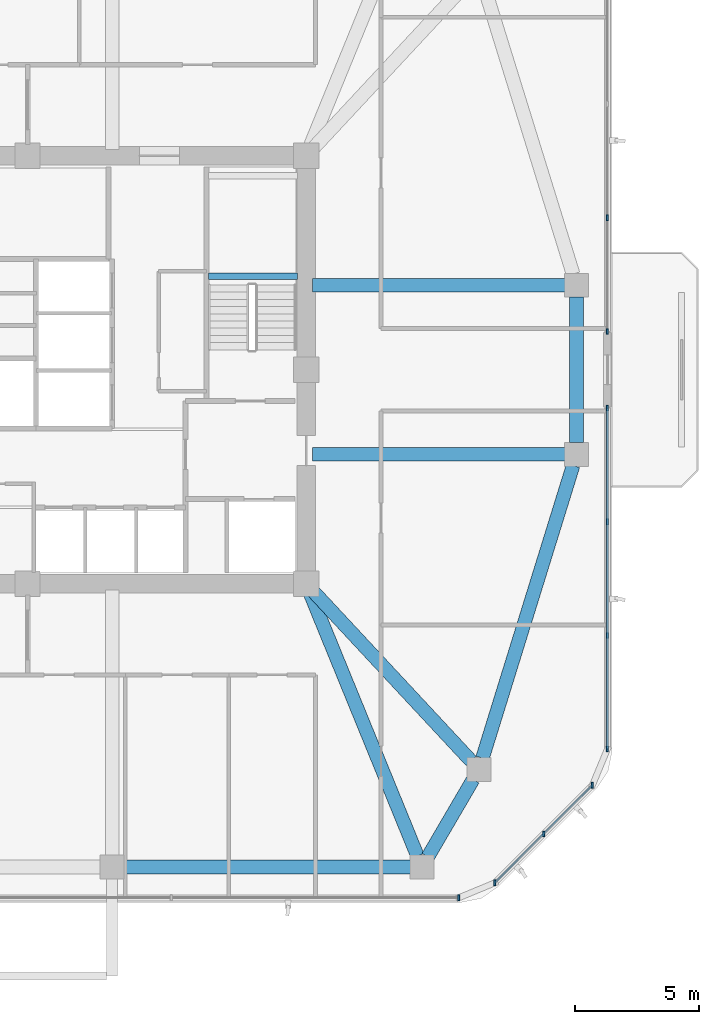
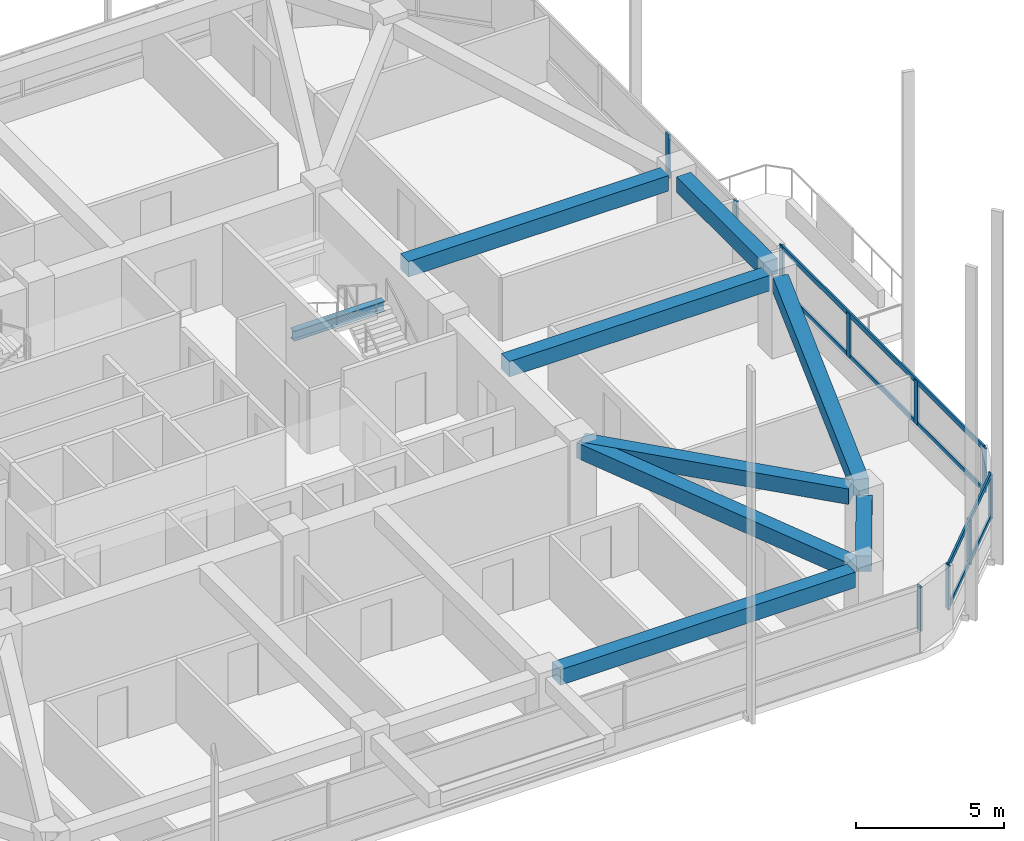
# One storey, part 4 of 14: 14 members, 9 beams, 4 elements without a shape of their own.
"""IFC4 building model written with IfcOpenShell, lengths in metres."""

from ifc_helpers import new_model, si_unit, derived_unit, direction, frame, origin, origin_2d, place, context, subcontext, project, spatial, rectangle, i_section, extrude, material, material_profile, profile_set, type_object, element, aggregate, save


model = new_model("IFC4")

# Units and contexts
model_context = context("Model", 3, precision=1e-05, world=origin(), true_north=direction((0.0, 1.0)))
body_context = subcontext(model_context, "Body", "Model", "MODEL_VIEW")
ifc_project = project(units=[si_unit("LENGTHUNIT", "METRE"), si_unit("AREAUNIT", "SQUARE_METRE"), si_unit("VOLUMEUNIT", "CUBIC_METRE"), si_unit("PLANEANGLEUNIT", "RADIAN"), si_unit("MASSUNIT", "GRAM", prefix="KILO"), derived_unit("THERMALTRANSMITTANCEUNIT", [(si_unit("POWERUNIT", "WATT"), 1), (si_unit("LENGTHUNIT", "METRE"), -2), (si_unit("THERMODYNAMICTEMPERATUREUNIT", "KELVIN"), -1)])], contexts=[model_context])

# Site, building, storey
site_placement = place(None, origin())
site = spatial("IfcSite", under=ifc_project, at=site_placement, CompositionType="ELEMENT")
building_placement = place(site_placement, origin())
building = spatial("IfcBuilding", under=site, at=building_placement, Name="Koralith Skygarden Medical Center", CompositionType="ELEMENT")
storey_placement = place(building_placement, frame((0.0, 0.0, 145.6201171875)))
storey = spatial("IfcBuildingStorey", under=building, at=storey_placement, Name="L37", CompositionType="ELEMENT", Elevation=145.6201171875)

# Curtain wall, member
ifc_material_1 = material(Name="Clear Laminated Glass", Category="glass")
curtain_wall_type = type_object("IfcCurtainWallType", Name="CW-4 Zone 3 Waist High-Wind Curtain Wall", PredefinedType="NOTDEFINED", material=ifc_material_1)
curtain_wall_1_placement = place(storey_placement, origin())
curtain_wall_1 = element("IfcCurtainWall", 1, at=curtain_wall_1_placement, inside=storey, type_object=curtain_wall_type, Name="Curtain Wall CW-L37-S", PredefinedType="NOTDEFINED")
ifc_material_2 = material(Name="Aluminium 6063-T6", Category="aluminium")
ifc_material_profile_1 = material_profile(ifc_material_2, rectangle(XDim=0.076904296875, YDim=0.22998046875, at=origin_2d()), Name="MUL77X230")
ifc_profile_set_1 = profile_set([ifc_material_profile_1], Name="Aluminium 6063-T6")
member_type_1 = type_object("IfcMemberType", Name="CW-4 Extruded Mullion 77x230", PredefinedType="MULLION", material=ifc_profile_set_1)
member_1_placement = place(storey_placement, frame((54.3291015625, 4.679931640625, 0.849853515625), z_axis=(0.0, 0.0, 1.0), x_axis=(1.0, 0.0, 0.0)))
member_1 = element("IfcMember", 2, at=member_1_placement, type_object=member_type_1, Name="CW-L37-S Mullion 4", PredefinedType="MULLION", context=body_context, shape_type="SweptSolid", body=[
    extrude(rectangle(XDim=0.076904296875, YDim=0.22998046875, at=origin_2d()), origin(), (0.0, 0.0, 1.0), 1.820068359375),
])
aggregate(curtain_wall_1, [member_1])

# Curtain wall, members
curtain_wall_2_placement = place(storey_placement, origin())
curtain_wall_2 = element("IfcCurtainWall", 3, at=curtain_wall_2_placement, inside=storey, type_object=curtain_wall_type, Name="Curtain Wall CW-L37-SE", PredefinedType="NOTDEFINED")
member_2_placement = place(storey_placement, frame((55.780029296875, 5.281005859375, 0.849853515625), z_axis=(0.0, 0.0, 1.0), x_axis=(1.0, 0.0, 0.0)))
member_2 = element("IfcMember", 4, at=member_2_placement, type_object=member_type_1, Name="CW-L37-SE Mullion 1", PredefinedType="MULLION", context=body_context, shape_type="SweptSolid", body=[
    extrude(rectangle(XDim=0.076904296875, YDim=0.22998046875, at=origin_2d()), origin(), (0.0, 0.0, 1.0), 1.820068359375),
])
member_3_placement = place(storey_placement, frame((57.741943359375, 7.241943359375, 0.849853515625), z_axis=(0.0, 0.0, 1.0), x_axis=(1.0, 0.0, 0.0)))
member_3 = element("IfcMember", 5, at=member_3_placement, type_object=member_type_1, Name="CW-L37-SE Mullion 2", PredefinedType="MULLION", context=body_context, shape_type="SweptSolid", body=[
    extrude(rectangle(XDim=0.076904296875, YDim=0.22998046875, at=origin_2d()), origin(), (0.0, 0.0, 1.0), 1.820068359375),
])
member_4_placement = place(storey_placement, frame((59.702880859375, 9.2041015625, 0.849853515625), z_axis=(0.0, 0.0, 1.0), x_axis=(1.0, 0.0, 0.0)))
member_4 = element("IfcMember", 6, at=member_4_placement, type_object=member_type_1, Name="CW-L37-SE Mullion 3", PredefinedType="MULLION", context=body_context, shape_type="SweptSolid", body=[
    extrude(rectangle(XDim=0.076904296875, YDim=0.22998046875, at=origin_2d()), origin(), (0.0, 0.0, 1.0), 1.820068359375),
])

curtain_wall_3_placement = place(storey_placement, origin())
curtain_wall_3 = element("IfcCurtainWall", 7, at=curtain_wall_3_placement, inside=storey, type_object=curtain_wall_type, Name="Curtain Wall CW-L37-E-L", PredefinedType="NOTDEFINED")
member_5_placement = place(storey_placement, frame((60.303955078125, 10.655029296875, 0.849853515625), z_axis=(0.0, 0.0, 1.0), x_axis=(1.0, 0.0, 0.0)))
member_5 = element("IfcMember", 8, at=member_5_placement, type_object=member_type_1, Name="CW-L37-E-L Mullion 1", PredefinedType="MULLION", context=body_context, shape_type="SweptSolid", body=[
    extrude(rectangle(XDim=0.076904296875, YDim=0.22998046875, at=origin_2d()), origin(), (0.0, 0.0, 1.0), 1.820068359375),
])
member_6_placement = place(storey_placement, frame((60.303955078125, 15.222900390625, 0.849853515625), z_axis=(0.0, 0.0, 1.0), x_axis=(1.0, 0.0, 0.0)))
member_6 = element("IfcMember", 9, at=member_6_placement, type_object=member_type_1, Name="CW-L37-E-L Mullion 2", PredefinedType="MULLION", context=body_context, shape_type="SweptSolid", body=[
    extrude(rectangle(XDim=0.076904296875, YDim=0.22998046875, at=origin_2d()), origin(), (0.0, 0.0, 1.0), 1.820068359375),
])
member_7_placement = place(storey_placement, frame((60.303955078125, 19.7919921875, 0.849853515625), z_axis=(0.0, 0.0, 1.0), x_axis=(1.0, 0.0, 0.0)))
member_7 = element("IfcMember", 10, at=member_7_placement, type_object=member_type_1, Name="CW-L37-E-L Mullion 3", PredefinedType="MULLION", context=body_context, shape_type="SweptSolid", body=[
    extrude(rectangle(XDim=0.076904296875, YDim=0.22998046875, at=origin_2d()), origin(), (0.0, 0.0, 1.0), 1.820068359375),
])
member_8_placement = place(storey_placement, frame((60.303955078125, 24.360107421875, 0.849853515625), z_axis=(0.0, 0.0, 1.0), x_axis=(1.0, 0.0, 0.0)))
member_8 = element("IfcMember", 11, at=member_8_placement, type_object=member_type_1, Name="CW-L37-E-L Mullion 4", PredefinedType="MULLION", context=body_context, shape_type="SweptSolid", body=[
    extrude(rectangle(XDim=0.076904296875, YDim=0.22998046875, at=origin_2d()), origin(), (0.0, 0.0, 1.0), 1.820068359375),
])

curtain_wall_4_placement = place(storey_placement, origin())
curtain_wall_4 = element("IfcCurtainWall", 12, at=curtain_wall_4_placement, inside=storey, type_object=curtain_wall_type, Name="Curtain Wall CW-L37-E-R", PredefinedType="NOTDEFINED")
member_9_placement = place(storey_placement, frame((60.303955078125, 27.43994140625, 0.849853515625), z_axis=(0.0, 0.0, 1.0), x_axis=(1.0, 0.0, 0.0)))
member_9 = element("IfcMember", 13, at=member_9_placement, type_object=member_type_1, Name="CW-L37-E-R Mullion 1", PredefinedType="MULLION", context=body_context, shape_type="SweptSolid", body=[
    extrude(rectangle(XDim=0.076904296875, YDim=0.22998046875, at=origin_2d()), origin(), (0.0, 0.0, 1.0), 1.820068359375),
])
member_10_placement = place(storey_placement, frame((60.303955078125, 32.008056640625, 0.849853515625), z_axis=(0.0, 0.0, 1.0), x_axis=(1.0, 0.0, 0.0)))
member_10 = element("IfcMember", 14, at=member_10_placement, type_object=member_type_1, Name="CW-L37-E-R Mullion 2", PredefinedType="MULLION", context=body_context, shape_type="SweptSolid", body=[
    extrude(rectangle(XDim=0.076904296875, YDim=0.22998046875, at=origin_2d()), origin(), (0.0, 0.0, 1.0), 1.820068359375),
])
aggregate(curtain_wall_4, [member_9, member_10])

# Member
ifc_material_profile_2 = material_profile(ifc_material_2, rectangle(XDim=0.072021484375, YDim=0.20703125, at=origin_2d()), Name="TRN72X207")
ifc_profile_set_2 = profile_set([ifc_material_profile_2], Name="Aluminium 6063-T6")
member_type_2 = type_object("IfcMemberType", Name="CW-4 Thermal Transom 72x207", PredefinedType="USERDEFINED", material=ifc_profile_set_2)
member_11_placement = place(storey_placement, frame((55.780029296875, 5.281005859375, 0.89990234375), z_axis=(0.707084777957, 0.707128783731, 0.0), x_axis=(-0.707128783731, 0.707084777957, 0.0)))
member_11 = element("IfcMember", 15, at=member_11_placement, type_object=member_type_2, Name="CW-L37-SE Transom 1", ObjectType="TRANSOM", PredefinedType="USERDEFINED", context=body_context, shape_type="SweptSolid", body=[
    extrude(rectangle(XDim=0.072021484375, YDim=0.20703125, at=origin_2d()), origin(), (0.0, 0.0, 1.0), 5.5478515625),
])

member_12_placement = place(storey_placement, frame((55.780029296875, 5.281005859375, 2.619873046875), z_axis=(0.707084777957, 0.707128783731, 0.0), x_axis=(-0.707128783731, 0.707084777957, 0.0)))
member_12 = element("IfcMember", 16, at=member_12_placement, type_object=member_type_2, Name="CW-L37-SE Transom 2", ObjectType="TRANSOM", PredefinedType="USERDEFINED", context=body_context, shape_type="SweptSolid", body=[
    extrude(rectangle(XDim=0.072021484375, YDim=0.20703125, at=origin_2d()), origin(), (0.0, 0.0, 1.0), 5.5478515625),
])

aggregate(curtain_wall_2, [member_2, member_3, member_4, member_11, member_12])

member_13_placement = place(storey_placement, frame((60.303955078125, 10.655029296875, 0.89990234375), z_axis=(0.0, 1.0, 0.0), x_axis=(-1.0, 0.0, 0.0)))
member_13 = element("IfcMember", 17, at=member_13_placement, type_object=member_type_2, Name="CW-L37-E-L Transom 1", ObjectType="TRANSOM", PredefinedType="USERDEFINED", context=body_context, shape_type="SweptSolid", body=[
    extrude(rectangle(XDim=0.072021484375, YDim=0.20703125, at=origin_2d()), origin(), (0.0, 0.0, 1.0), 13.705078125),
])

member_14_placement = place(storey_placement, frame((60.303955078125, 10.655029296875, 2.619873046875), z_axis=(0.0, 1.0, 0.0), x_axis=(-1.0, 0.0, 0.0)))
member_14 = element("IfcMember", 18, at=member_14_placement, type_object=member_type_2, Name="CW-L37-E-L Transom 2", ObjectType="TRANSOM", PredefinedType="USERDEFINED", context=body_context, shape_type="SweptSolid", body=[
    extrude(rectangle(XDim=0.072021484375, YDim=0.20703125, at=origin_2d()), origin(), (0.0, 0.0, 1.0), 13.705078125),
])

aggregate(curtain_wall_3, [member_5, member_6, member_7, member_8, member_13, member_14])

# Beams
ifc_material_3 = material(Name="Steel ASTM A992 Grade 50", Category="steel")
ifc_material_profile_3 = material_profile(ifc_material_3, i_section(OverallWidth=0.260009765625, OverallDepth=0.4150390625, WebThickness=0.010009765625, FlangeThickness=0.016845703125, at=origin_2d()), Name="W16X67")
ifc_profile_set_3 = profile_set([ifc_material_profile_3], Name="Steel ASTM A992 Grade 50")
beam_type_1 = type_object("IfcBeamType", Name="Clinical Floor Joist W16X67", PredefinedType="JOIST", material=ifc_profile_set_3)
beam_1_placement = place(storey_placement, frame((44.280029296875, 29.659912109375, 1.391845703125), z_axis=(1.0, 0.0, 0.0), x_axis=(0.0, 1.0, 0.0)))
element("IfcBeam", 19, at=beam_1_placement, inside=storey, type_object=beam_type_1, Name="L37 Stair ST2 Half-Landing Support Beam 1A", PredefinedType="JOIST", context=body_context, shape_type="SweptSolid", body=[
    extrude(i_section(OverallWidth=0.260009765625, OverallDepth=0.4150390625, WebThickness=0.010009765625, FlangeThickness=0.016845703125, at=origin_2d()), origin(), (0.0, 0.0, 1.0), 3.56494140625),
])
ifc_material_4 = material(Name="Concrete C45/55", Category="concrete")
ifc_material_profile_4 = material_profile(ifc_material_4, rectangle(XDim=0.550048828125, YDim=0.639892578125, at=origin_2d()), Name="RCB550X640")
ifc_profile_set_4 = profile_set([ifc_material_profile_4], Name="Concrete C45/55")
beam_type_2 = type_object("IfcBeamType", Name="Radial Collector Beam RCB550X640", PredefinedType="BEAM", material=ifc_profile_set_4)
beam_2_placement = place(storey_placement, frame((48.294921875, 17.069091796875, 3.0), z_axis=(0.378344544364, -0.92566484526, 0.0), x_axis=(0.92566484526, 0.378344544364, 0.0)))
element("IfcBeam", 20, at=beam_2_placement, inside=storey, type_object=beam_type_2, Name="L37 Radial Collector Beam RB-06", PredefinedType="BEAM", context=body_context, shape_type="SweptSolid", body=[
    extrude(rectangle(XDim=0.550048828125, YDim=0.639892578125, at=origin_2d()), origin(), (0.0, 0.0, 1.0), 11.574462890625),
])
beam_3_placement = place(storey_placement, frame((48.3701171875, 17.116943359375, 3.0), z_axis=(0.681369011591, -0.731940072713, 0.0), x_axis=(0.731940072713, 0.681369011591, 0.0)))
element("IfcBeam", 21, at=beam_3_placement, inside=storey, type_object=beam_type_2, Name="L37 Radial Collector Beam RB-07", PredefinedType="BEAM", context=body_context, shape_type="SweptSolid", body=[
    extrude(rectangle(XDim=0.550048828125, YDim=0.639892578125, at=origin_2d()), origin(), (0.0, 0.0, 1.0), 9.471923828125),
])
for number, where, z_axis, x_axis, name in (
    (22, (48.449951171875, 22.5, 3.0), (1.0, 0.0, 0.0), (0.0, 1.0, 0.0), "L37 Radial Collector Beam RB-08"),
    (23, (48.449951171875, 29.300048828125, 3.0), (1.0, 0.0, 0.0), (0.0, 1.0, 0.0), "L37 Radial Collector Beam RB-09"),
):
    element("IfcBeam", number, at=place(storey_placement, frame(where, z_axis=z_axis, x_axis=x_axis)), inside=storey, type_object=beam_type_2, Name=name, PredefinedType="BEAM", context=body_context, shape_type="SweptSolid", body=[
        extrude(rectangle(XDim=0.550048828125, YDim=0.639892578125, at=origin_2d()), origin(), (0.0, 0.0, 1.0), 10.14404296875),
    ])
ifc_material_profile_5 = material_profile(ifc_material_4, rectangle(XDim=0.550048828125, YDim=0.639892578125, at=origin_2d()), Name="RCB550X640")
ifc_profile_set_5 = profile_set([ifc_material_profile_5], Name="Concrete C45/55")
beam_type_3 = type_object("IfcBeamType", Name="Zone 2-3 Spandrel Beam RCB550X640", PredefinedType="SPANDREL", material=ifc_profile_set_5)
beam_4_placement = place(storey_placement, frame((40.8701171875, 5.919921875, 3.0), z_axis=(1.0, 0.0, 0.0), x_axis=(0.0, 1.0, 0.0)))
element("IfcBeam", 24, at=beam_4_placement, inside=storey, type_object=beam_type_3, Name="L37 Perimeter Spandrel Beam SP-05", PredefinedType="SPANDREL", context=body_context, shape_type="SweptSolid", body=[
    extrude(rectangle(XDim=0.550048828125, YDim=0.639892578125, at=origin_2d()), origin(), (0.0, 0.0, 1.0), 11.511962890625),
])
beam_5_placement = place(storey_placement, frame((53.089111328125, 6.325927734375, 3.0), z_axis=(0.504861391295, 0.863200426077, 0.0), x_axis=(-0.863200426077, 0.504861391295, 0.0)))
element("IfcBeam", 25, at=beam_5_placement, inside=storey, type_object=beam_type_3, Name="L37 Perimeter Spandrel Beam SP-06", PredefinedType="SPANDREL", context=body_context, shape_type="SweptSolid", body=[
    extrude(rectangle(XDim=0.550048828125, YDim=0.639892578125, at=origin_2d()), origin(), (0.0, 0.0, 1.0), 3.600830078125),
])
beam_6_placement = place(storey_placement, frame((55.282958984375, 10.2890625, 3.0), z_axis=(0.295793585147, 0.955251880389, 0.0), x_axis=(-0.955251880389, 0.295793585147, 0.0)))
element("IfcBeam", 26, at=beam_6_placement, inside=storey, type_object=beam_type_3, Name="L37 Perimeter Spandrel Beam SP-07", PredefinedType="SPANDREL", context=body_context, shape_type="SweptSolid", body=[
    extrude(rectangle(XDim=0.550048828125, YDim=0.639892578125, at=origin_2d()), origin(), (0.0, 0.0, 1.0), 12.31298828125),
])
beam_7_placement = place(storey_placement, frame((59.06396484375, 22.969970703125, 3.0), z_axis=(0.0, 1.0, 0.0), x_axis=(-1.0, 0.0, 0.0)))
element("IfcBeam", 27, at=beam_7_placement, inside=storey, type_object=beam_type_3, Name="L37 Perimeter Spandrel Beam SP-08", PredefinedType="SPANDREL", context=body_context, shape_type="SweptSolid", body=[
    extrude(rectangle(XDim=0.550048828125, YDim=0.639892578125, at=origin_2d()), origin(), (0.0, 0.0, 1.0), 5.860107421875),
])

save(model, "model.ifc")
